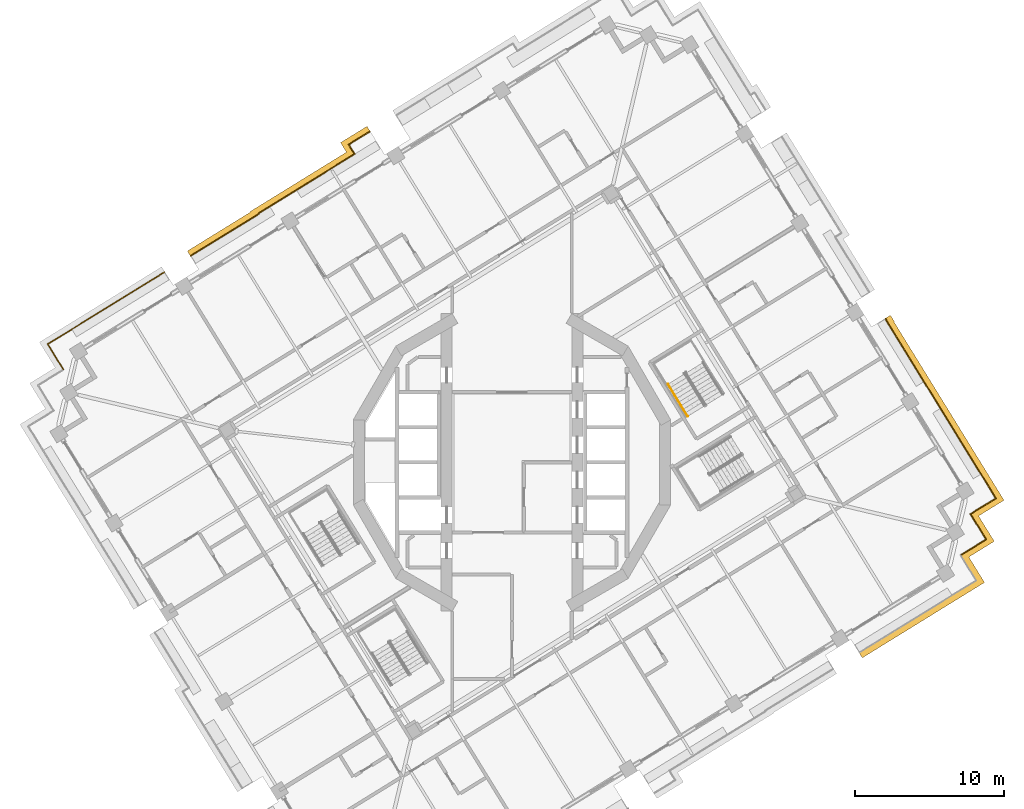
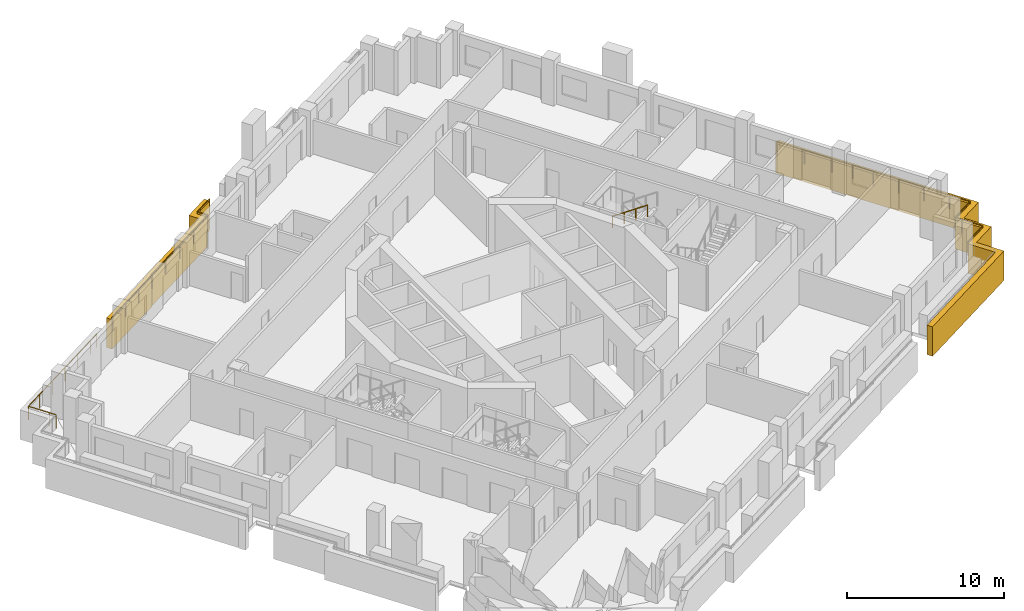
# One storey, part 17 of 20: 4 railings, 2 coverings.
"""IFC4 building model written with IfcOpenShell, lengths in metres."""

from ifc_helpers import new_model, si_unit, direction, frame, origin, origin_2d, place, context, subcontext, project, spatial, polyline, circle, outline, extrude, material, type_object, element, save


model = new_model("IFC4")

# Units and contexts
model_context = context("Model", 3, precision=1e-05, world=origin(), true_north=direction((0.0, 1.0)))
body_context = subcontext(model_context, "Body", "Model", "MODEL_VIEW")
ifc_project = project(units=[si_unit("LENGTHUNIT", "METRE"), si_unit("AREAUNIT", "SQUARE_METRE"), si_unit("VOLUMEUNIT", "CUBIC_METRE"), si_unit("PLANEANGLEUNIT", "RADIAN"), si_unit("MASSUNIT", "GRAM", prefix="KILO")], contexts=[model_context])

# Site, building, storey
site_placement = place(None, origin())
site = spatial("IfcSite", under=ifc_project, at=site_placement, CompositionType="ELEMENT")
building_placement = place(site_placement, origin())
building = spatial("IfcBuilding", under=site, at=building_placement, Name="Cantera Rosa Tower", CompositionType="ELEMENT")
storey_placement = place(building_placement, frame((0.0, 0.0, 159.0)))
storey = spatial("IfcBuildingStorey", under=building, at=storey_placement, Name="L34", CompositionType="ELEMENT", Elevation=159.0)

# Railings
ifc_material_1 = material(Name="Stainless steel and laminated glass", Category="steel")
railing_type_1 = type_object("IfcRailingType", Name="GUARD 1100", PredefinedType="BALUSTRADE", material=ifc_material_1)
railing_1_placement = place(storey_placement, frame((-30.03076171875, 6.208984375, 0.0)))
element("IfcRailing", 1, at=railing_1_placement, inside=storey, type_object=railing_type_1, Name="GUARD L34-4", PredefinedType="BALUSTRADE", context=body_context, shape_type="SweptSolid", body=[
    extrude(circle(Radius=0.030029296875, at=origin_2d()), frame((0.0, 0.0, 1.070068359375), z_axis=(-0.52494176933, 0.851138143202, 0.0), x_axis=(-0.851138143202, -0.52494176933, 0.0)), (0.0, 0.0, 1.0), 0.5),
    extrude(circle(Radius=0.030029296875, at=origin_2d()), frame((-0.262451171875, 0.425537109375, 1.070068359375), z_axis=(-0.524869051004, 0.85118298814, 0.0), x_axis=(-0.85118298814, -0.524869051004, 0.0)), (0.0, 0.0, 1.0), 1.5),
    extrude(circle(Radius=0.030029296875, at=origin_2d()), frame((-1.0498046875, 1.702392578125, 1.070068359375), z_axis=(0.851138143202, 0.52494176933, 0.0), x_axis=(-0.52494176933, 0.851138143202, 0.0)), (0.0, 0.0, 1.0), 1.5),
    extrude(circle(Radius=0.030029296875, at=origin_2d()), frame((0.226806640625, 2.48974609375, 1.070068359375), z_axis=(0.851120753703, 0.524969963537, 0.0), x_axis=(-0.524969963537, 0.851120753703, 0.0)), (0.0, 0.0, 1.0), 6.820068359375),
    extrude(circle(Radius=0.030029296875, at=origin_2d()), frame((6.031494140625, 6.070068359375, 1.070068359375), z_axis=(0.851089370259, 0.525020841331, 0.0), x_axis=(-0.525020841331, 0.851089370259, 0.0)), (0.0, 0.0, 1.0), 0.8701171875),
    extrude(circle(Radius=0.02490234375, at=origin_2d()), origin(), (0.0, 0.0, 1.0), 1.0400390625),
    extrude(circle(Radius=0.02490234375, at=origin_2d()), frame((-0.262451171875, 0.425537109375, 0.0)), (0.0, 0.0, 1.0), 1.0400390625),
    extrude(circle(Radius=0.02490234375, at=origin_2d()), frame((-1.0498046875, 1.702392578125, 0.0)), (0.0, 0.0, 1.0), 1.0400390625),
    extrude(circle(Radius=0.02490234375, at=origin_2d()), frame((0.226806640625, 2.48974609375, 0.0)), (0.0, 0.0, 1.0), 1.0400390625),
    extrude(circle(Radius=0.02490234375, at=origin_2d()), frame((1.677978515625, 3.384765625, 0.0)), (0.0, 0.0, 1.0), 1.0400390625),
    extrude(circle(Radius=0.02490234375, at=origin_2d()), frame((3.129150390625, 4.27978515625, 0.0)), (0.0, 0.0, 1.0), 1.0400390625),
    extrude(circle(Radius=0.02490234375, at=origin_2d()), frame((4.580322265625, 5.175048828125, 0.0)), (0.0, 0.0, 1.0), 1.0400390625),
    extrude(circle(Radius=0.02490234375, at=origin_2d()), frame((6.031494140625, 6.070068359375, 0.0)), (0.0, 0.0, 1.0), 1.0400390625),
    extrude(circle(Radius=0.02490234375, at=origin_2d()), frame((6.77197265625, 6.52685546875, 0.0)), (0.0, 0.0, 1.0), 1.0400390625),
])
railing_2_placement = place(storey_placement, frame((-21.505615234375, 13.817138671875, 0.0)))
element("IfcRailing", 2, at=railing_2_placement, inside=storey, type_object=railing_type_1, Name="GUARD L34-6", PredefinedType="BALUSTRADE", context=body_context, shape_type="SweptSolid", body=[
    extrude(circle(Radius=0.030029296875, at=origin_2d()), frame((0.0, 0.0, 1.070068359375), z_axis=(0.850339408664, 0.52623463405, 0.0), x_axis=(-0.52623463405, 0.850339408664, 0.0)), (0.0, 0.0, 1.0), 0.070068359375),
    extrude(circle(Radius=0.030029296875, at=origin_2d()), frame((0.0595703125, 0.036865234375, 1.070068359375), z_axis=(0.851116462586, 0.524976920555, 0.0), x_axis=(-0.524976920555, 0.851116462586, 0.0)), (0.0, 0.0, 1.0), 5.27978515625),
    extrude(circle(Radius=0.030029296875, at=origin_2d()), frame((4.55322265625, 2.80859375, 1.070068359375), z_axis=(-0.527815847616, 0.849358835243, 0.0), x_axis=(-0.849358835243, -0.527815847616, 0.0)), (0.0, 0.0, 1.0), 0.040283203125),
    extrude(circle(Radius=0.030029296875, at=origin_2d()), frame((4.531982421875, 2.8427734375, 1.070068359375), z_axis=(0.851125237565, 0.524962693893, 0.0), x_axis=(-0.524962693893, 0.851125237565, 0.0)), (0.0, 0.0, 1.0), 7.56982421875),
    extrude(circle(Radius=0.030029296875, at=origin_2d()), frame((10.974853515625, 6.816650390625, 1.070068359375), z_axis=(-0.525077247335, 0.851054571888, 0.0), x_axis=(-0.851054571888, -0.525077247335, 0.0)), (0.0, 0.0, 1.0), 0.75048828125),
    extrude(circle(Radius=0.030029296875, at=origin_2d()), frame((10.580810546875, 7.455322265625, 1.070068359375), z_axis=(0.851097514254, 0.525007639212, 0.0), x_axis=(-0.525007639212, 0.851097514254, 0.0)), (0.0, 0.0, 1.0), 1.66064453125),
    extrude(circle(Radius=0.02490234375, at=origin_2d()), origin(), (0.0, 0.0, 1.0), 1.0400390625),
    extrude(circle(Radius=0.02490234375, at=origin_2d()), frame((0.0595703125, 0.036865234375, 0.0)), (0.0, 0.0, 1.0), 1.0400390625),
    extrude(circle(Radius=0.02490234375, at=origin_2d()), frame((1.557373046875, 0.960693359375, 0.0)), (0.0, 0.0, 1.0), 1.0400390625),
    extrude(circle(Radius=0.02490234375, at=origin_2d()), frame((3.055419921875, 1.884765625, 0.0)), (0.0, 0.0, 1.0), 1.0400390625),
    extrude(circle(Radius=0.02490234375, at=origin_2d()), frame((4.55322265625, 2.80859375, 0.0)), (0.0, 0.0, 1.0), 1.0400390625),
    extrude(circle(Radius=0.02490234375, at=origin_2d()), frame((4.531982421875, 2.8427734375, 0.0)), (0.0, 0.0, 1.0), 1.0400390625),
    extrude(circle(Radius=0.02490234375, at=origin_2d()), frame((6.142578125, 3.836181640625, 0.0)), (0.0, 0.0, 1.0), 1.0400390625),
    extrude(circle(Radius=0.02490234375, at=origin_2d()), frame((7.75341796875, 4.82958984375, 0.0)), (0.0, 0.0, 1.0), 1.0400390625),
    extrude(circle(Radius=0.02490234375, at=origin_2d()), frame((9.3642578125, 5.8232421875, 0.0)), (0.0, 0.0, 1.0), 1.0400390625),
    extrude(circle(Radius=0.02490234375, at=origin_2d()), frame((10.974853515625, 6.816650390625, 0.0)), (0.0, 0.0, 1.0), 1.0400390625),
    extrude(circle(Radius=0.02490234375, at=origin_2d()), frame((10.580810546875, 7.455322265625, 0.0)), (0.0, 0.0, 1.0), 1.0400390625),
    extrude(circle(Radius=0.02490234375, at=origin_2d()), frame((11.994140625, 8.3271484375, 0.0)), (0.0, 0.0, 1.0), 1.0400390625),
])
railing_3_placement = place(storey_placement, frame((25.004150390625, 9.61865234375, 0.0)))
element("IfcRailing", 3, at=railing_3_placement, inside=storey, type_object=railing_type_1, Name="GUARD L34-10", PredefinedType="BALUSTRADE", context=body_context, shape_type="SweptSolid", body=[
    extrude(circle(Radius=0.030029296875, at=origin_2d()), frame((0.0, 0.0, 1.070068359375), z_axis=(0.524771895301, -0.851242890074, 0.0), x_axis=(0.851242890074, 0.524771895301, 0.0)), (0.0, 0.0, 1.0), 0.10107421875),
    extrude(circle(Radius=0.030029296875, at=origin_2d()), frame((0.052978515625, -0.0859375, 1.070068359375), z_axis=(-0.849761711822, -0.52716698789, 0.0), x_axis=(0.52716698789, -0.849761711822, 0.0)), (0.0, 0.0, 1.0), 0.031005859375),
    extrude(circle(Radius=0.030029296875, at=origin_2d()), frame((0.026611328125, -0.102294921875, 1.070068359375), z_axis=(0.525005464251, -0.851098855896, 0.0), x_axis=(0.851098855896, 0.525005464251, 0.0)), (0.0, 0.0, 1.0), 3.989013671875),
    extrude(circle(Radius=0.030029296875, at=origin_2d()), frame((2.120849609375, -3.497314453125, 1.070068359375), z_axis=(0.524964362564, -0.851124208349, 0.0), x_axis=(0.851124208349, 0.524964362564, 0.0)), (0.0, 0.0, 1.0), 3.0),
    extrude(circle(Radius=0.030029296875, at=origin_2d()), frame((3.69580078125, -6.05078125, 1.070068359375), z_axis=(0.524968277683, -0.851121793533, 0.0), x_axis=(0.851121793533, 0.524968277683, 0.0)), (0.0, 0.0, 1.0), 5.519775390625),
    extrude(circle(Radius=0.030029296875, at=origin_2d()), frame((6.593505859375, -10.748779296875, 1.070068359375), z_axis=(0.524986950369, -0.851110276017, 0.0), x_axis=(0.851110276017, 0.524986950369, 0.0)), (0.0, 0.0, 1.0), 1.500244140625),
    extrude(circle(Radius=0.030029296875, at=origin_2d()), frame((7.381103515625, -12.025634765625, 1.070068359375), z_axis=(-0.85118298814, -0.524869051004, 0.0), x_axis=(0.524869051004, -0.85118298814, 0.0)), (0.0, 0.0, 1.0), 1.5),
    extrude(circle(Radius=0.030029296875, at=origin_2d()), frame((6.104248046875, -12.81298828125, 1.070068359375), z_axis=(-0.851138143202, -0.52494176933, 0.0), x_axis=(0.52494176933, -0.851138143202, 0.0)), (0.0, 0.0, 1.0), 0.5),
    extrude(circle(Radius=0.030029296875, at=origin_2d()), frame((5.6787109375, -13.075439453125, 1.070068359375), z_axis=(0.52494176933, -0.851138143202, 0.0), x_axis=(0.851138143202, 0.52494176933, 0.0)), (0.0, 0.0, 1.0), 0.5),
    extrude(circle(Radius=0.030029296875, at=origin_2d()), frame((5.941162109375, -13.5009765625, 1.070068359375), z_axis=(0.524986950369, -0.851110276017, 0.0), x_axis=(0.851110276017, 0.524986950369, 0.0)), (0.0, 0.0, 1.0), 1.500244140625),
    extrude(circle(Radius=0.030029296875, at=origin_2d()), frame((6.728759765625, -14.77783203125, 1.070068359375), z_axis=(-0.851138143202, -0.52494176933, 0.0), x_axis=(0.52494176933, -0.851138143202, 0.0)), (0.0, 0.0, 1.0), 1.5),
    extrude(circle(Radius=0.030029296875, at=origin_2d()), frame((5.4521484375, -15.565185546875, 1.070068359375), z_axis=(-0.851138143202, -0.52494176933, 0.0), x_axis=(0.52494176933, -0.851138143202, 0.0)), (0.0, 0.0, 1.0), 0.5),
    extrude(circle(Radius=0.02490234375, at=origin_2d()), origin(), (0.0, 0.0, 1.0), 1.0400390625),
    extrude(circle(Radius=0.02490234375, at=origin_2d()), frame((0.052978515625, -0.0859375, 0.0)), (0.0, 0.0, 1.0), 1.0400390625),
    extrude(circle(Radius=0.02490234375, at=origin_2d()), frame((0.026611328125, -0.102294921875, 0.0)), (0.0, 0.0, 1.0), 1.0400390625),
    extrude(circle(Radius=0.02490234375, at=origin_2d()), frame((1.07373046875, -1.7998046875, 0.0)), (0.0, 0.0, 1.0), 1.0400390625),
    extrude(circle(Radius=0.02490234375, at=origin_2d()), frame((2.120849609375, -3.497314453125, 0.0)), (0.0, 0.0, 1.0), 1.0400390625),
    extrude(circle(Radius=0.02490234375, at=origin_2d()), frame((2.908203125, -4.77392578125, 0.0)), (0.0, 0.0, 1.0), 1.0400390625),
    extrude(circle(Radius=0.02490234375, at=origin_2d()), frame((3.69580078125, -6.05078125, 0.0)), (0.0, 0.0, 1.0), 1.0400390625),
    extrude(circle(Radius=0.02490234375, at=origin_2d()), frame((4.66162109375, -7.61669921875, 0.0)), (0.0, 0.0, 1.0), 1.0400390625),
    extrude(circle(Radius=0.02490234375, at=origin_2d()), frame((5.627685546875, -9.182861328125, 0.0)), (0.0, 0.0, 1.0), 1.0400390625),
    extrude(circle(Radius=0.02490234375, at=origin_2d()), frame((6.593505859375, -10.748779296875, 0.0)), (0.0, 0.0, 1.0), 1.0400390625),
    extrude(circle(Radius=0.02490234375, at=origin_2d()), frame((7.381103515625, -12.025634765625, 0.0)), (0.0, 0.0, 1.0), 1.0400390625),
    extrude(circle(Radius=0.02490234375, at=origin_2d()), frame((6.104248046875, -12.81298828125, 0.0)), (0.0, 0.0, 1.0), 1.0400390625),
    extrude(circle(Radius=0.02490234375, at=origin_2d()), frame((5.6787109375, -13.075439453125, 0.0)), (0.0, 0.0, 1.0), 1.0400390625),
    extrude(circle(Radius=0.02490234375, at=origin_2d()), frame((5.941162109375, -13.5009765625, 0.0)), (0.0, 0.0, 1.0), 1.0400390625),
    extrude(circle(Radius=0.02490234375, at=origin_2d()), frame((6.728759765625, -14.77783203125, 0.0)), (0.0, 0.0, 1.0), 1.0400390625),
    extrude(circle(Radius=0.02490234375, at=origin_2d()), frame((5.4521484375, -15.565185546875, 0.0)), (0.0, 0.0, 1.0), 1.0400390625),
    extrude(circle(Radius=0.02490234375, at=origin_2d()), frame((5.026611328125, -15.82763671875, 0.0)), (0.0, 0.0, 1.0), 1.0400390625),
])
ifc_material_2 = material(Name="Steel S355J2 (EN 10025-2)", Category="steel")
railing_type_2 = type_object("IfcRailingType", Name="STAIR HANDRAIL 900", PredefinedType="HANDRAIL", material=ifc_material_2)
railing_4_placement = place(storey_placement, frame((10.441650390625, 5.2314453125, 2.090087890625)))
element("IfcRailing", 4, at=railing_4_placement, inside=storey, type_object=railing_type_2, Name="L34 ST-31 stair handrail 2", PredefinedType="HANDRAIL", context=body_context, shape_type="SweptSolid", body=[
    extrude(circle(Radius=0.02392578125, at=origin_2d()), frame((0.0, 0.0, 0.8759765625), z_axis=(0.434427613125, -0.704271375033, 0.561493080334), x_axis=(0.851102330005, 0.524999832248, 0.0)), (0.0, 0.0, 1.0), 3.04541015625),
    extrude(circle(Radius=0.02099609375, at=origin_2d()), origin(), (0.0, 0.0, 1.0), 0.851806640625),
    extrude(circle(Radius=0.02099609375, at=origin_2d()), frame((0.44091796875, -0.71484375, 0.570068359375)), (0.0, 0.0, 1.0), 0.851806640625),
    extrude(circle(Radius=0.02099609375, at=origin_2d()), frame((0.882080078125, -1.429931640625, 1.139892578125)), (0.0, 0.0, 1.0), 0.851806640625),
    extrude(circle(Radius=0.02099609375, at=origin_2d()), frame((1.322998046875, -2.144775390625, 1.7099609375)), (0.0, 0.0, 1.0), 0.851806640625),
])

# Coverings
ifc_material_3 = material(Name="Cantera stone", Category="masonry")
covering_type = type_object("IfcCoveringType", Name="TRAY FASCIA 400", PredefinedType="CLADDING", material=ifc_material_3)
covering_1_placement = place(storey_placement, frame((0.0, 0.0, -1.39990234375)))
element("IfcCovering", 5, at=covering_1_placement, inside=storey, type_object=covering_type, Name="TRAY FASCIA L34-03", PredefinedType="CLADDING", context=body_context, shape_type="SweptSolid", body=[
    extrude(outline(polyline([(-21.656005859375, 14.1943359375), (-17.502685546875, 16.756103515625), (-17.52392578125, 16.79052734375), (-11.081298828125, 20.764404296875), (-11.475341796875, 21.403076171875), (-9.704345703125, 22.495361328125), (-9.494384765625, 22.15478515625), (-10.9248046875, 21.2724609375), (-10.53076171875, 20.6337890625), (-16.9736328125, 16.659912109375), (-16.952392578125, 16.625732421875), (-21.446044921875, 13.85400390625), (-21.5224609375, 13.806640625), (-21.732666015625, 14.147216796875), (-21.656005859375, 14.1943359375)])), origin(), (0.0, 0.0, 1.0), 2.2998046875),
])
covering_2_placement = place(storey_placement, frame((0.0, 0.0, -1.39990234375)))
element("IfcCovering", 6, at=covering_2_placement, inside=storey, type_object=covering_type, Name="TRAY FASCIA L34-08", PredefinedType="CLADDING", context=body_context, shape_type="SweptSolid", body=[
    extrude(outline(polyline([(25.607421875, 9.40234375), (25.581298828125, 9.385986328125), (27.46533203125, 6.331298828125), (29.040283203125, 3.77783203125), (31.938232421875, -0.920166015625), (32.935546875, -2.537353515625), (31.2333984375, -3.58740234375), (31.285888671875, -3.67236328125), (32.283447265625, -5.28955078125), (30.666259765625, -6.286865234375), (30.5810546875, -6.339599609375), (30.633544921875, -6.424560546875), (31.631103515625, -8.041748046875), (30.013916015625, -9.0390625), (24.209228515625, -12.61962890625), (23.451904296875, -13.086669921875), (23.241943359375, -12.746337890625), (23.999267578125, -12.279052734375), (29.803955078125, -8.69873046875), (31.08056640625, -7.911376953125), (30.293212890625, -6.634521484375), (30.03076171875, -6.208984375), (30.456298828125, -5.946533203125), (31.73291015625, -5.1591796875), (30.9453125, -3.88232421875), (30.682861328125, -3.456787109375), (31.1083984375, -3.1943359375), (32.38525390625, -2.406982421875), (31.59765625, -1.130126953125), (28.699951171875, 3.56787109375), (27.125, 6.121337890625), (25.03076171875, 9.516357421875), (25.05712890625, 9.53271484375), (24.99365234375, 9.6357421875), (25.333984375, 9.845703125), (25.607421875, 9.40234375)])), origin(), (0.0, 0.0, 1.0), 2.2998046875),
])

save(model, "model.ifc")
